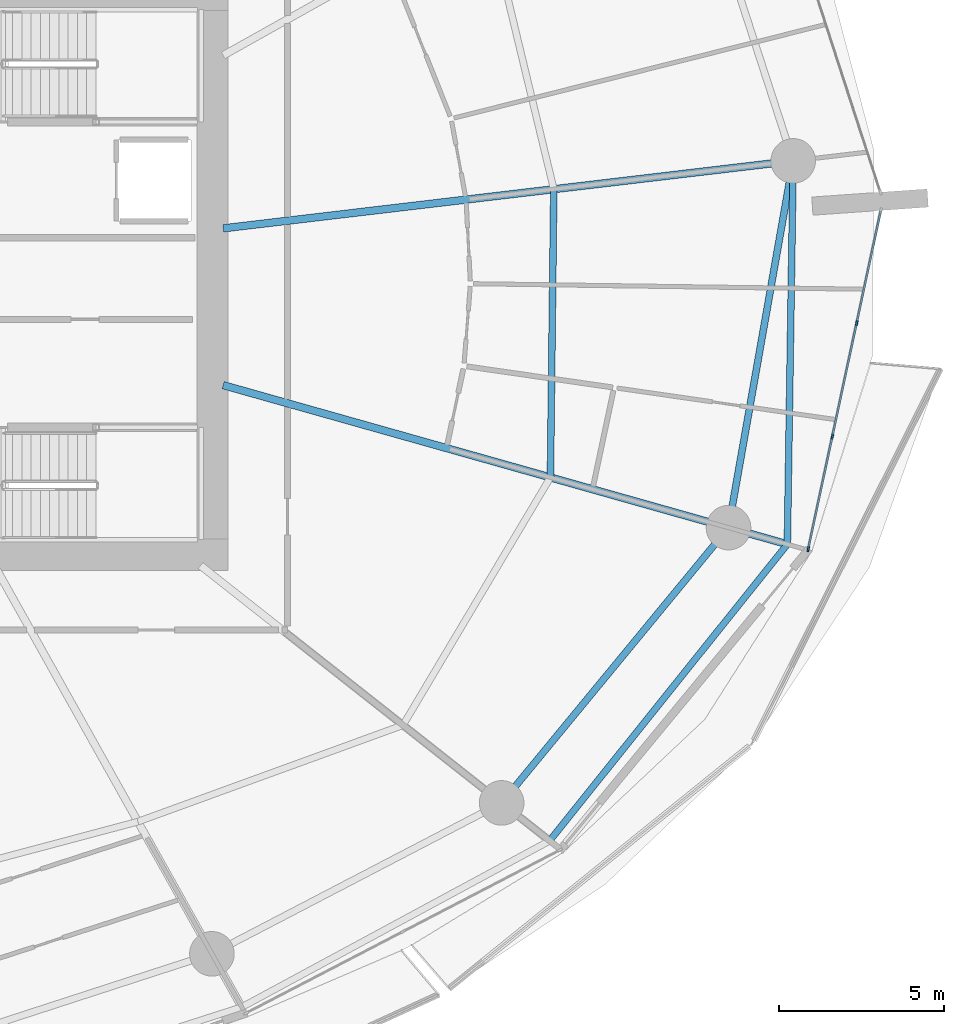
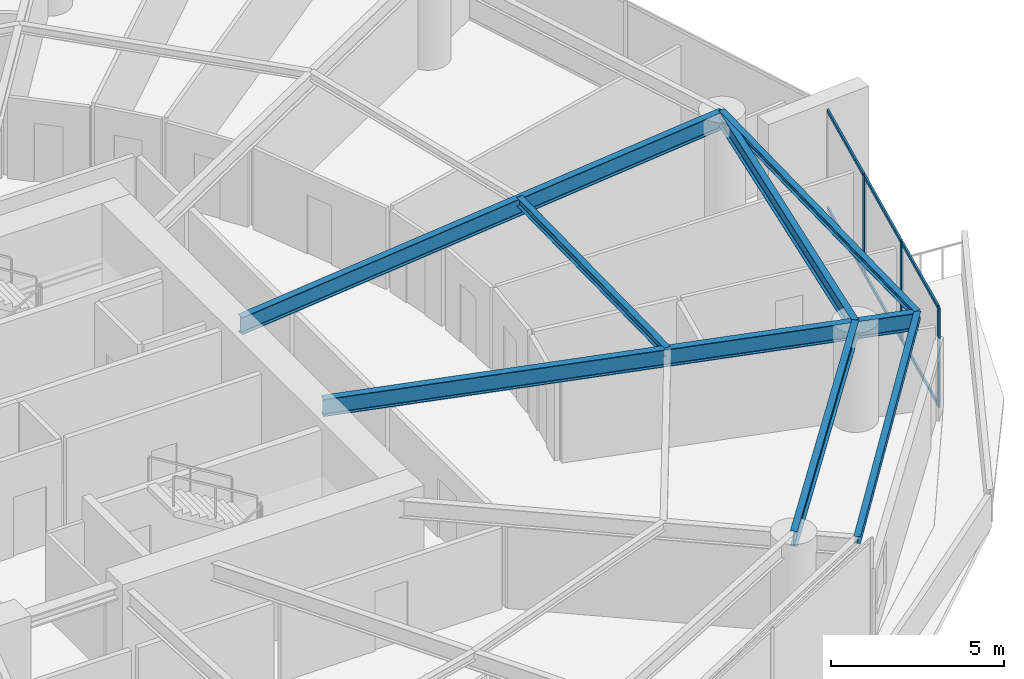
# One storey, part 11 of 31: 9 members, 7 beams, 1 element without a shape of its own.
"""IFC4 building model written with IfcOpenShell, lengths in metres."""

import ifcopenshell
import ifcopenshell.guid

model = None  # the IFC model being written
_history = None  # IfcOwnerHistory: only IFC2X3 demands one
_inside = {}  # id of a spatial element -> (the spatial element, [elements in it])
_under = {}  # id of a project, library or spatial element -> (it, [spatial elements below it])
_declared = {}  # id of a project -> (the project, [libraries it declares])
_typed = {}  # id of a type object -> (the type object, [elements of that type])
_made_of = {}  # id of a material, layer set ... -> (it, [elements and type objects made of it])


def new_model(schema):
    """Start an empty IFC model of exactly this schema.

    Asked for "IFC4X3", IfcOpenShell would pick the latest addendum, in which some entities
    have other attributes; the version numbers below select the first issue.
    IFC2X3 requires an IfcOwnerHistory on every rooted entity: one is made here for all.
    """
    global model, _history
    if schema == "IFC4X3":
        model = ifcopenshell.file(schema_version=(4, 3, 0, 0))
    else:
        model = ifcopenshell.file(schema=schema)
    _inside.clear()
    _under.clear()
    _declared.clear()
    _typed.clear()
    _made_of.clear()
    _history = None
    if model.schema == "IFC2X3":
        org = make("IfcOrganization", Name="unknown")
        user = make(
            "IfcPersonAndOrganization",
            ThePerson=make("IfcPerson", FamilyName="unknown"),
            TheOrganization=org,
        )
        app = make(
            "IfcApplication",
            ApplicationDeveloper=org,
            Version="unknown",
            ApplicationFullName="unknown",
            ApplicationIdentifier="unknown",
        )
        _history = make(
            "IfcOwnerHistory",
            OwningUser=user,
            OwningApplication=app,
            ChangeAction="ADDED",
            CreationDate=0,
        )
    return model


def make(cls, **values):
    """One entity of the class cls with the attributes given. An attribute that is None is left unset."""
    return model.create_entity(
        cls, **{name: value for name, value in values.items() if value is not None}
    )


def rooted(cls, **values):
    """An entity with a GlobalId (a new one), such as an element, a storey or a relation."""
    return make(cls, GlobalId=ifcopenshell.guid.new(), OwnerHistory=_history, **values)


def si_unit(unit_type, name, prefix=None):
    """IfcSIUnit, for example si_unit("LENGTHUNIT", "METRE", prefix="MILLI")."""
    return make("IfcSIUnit", UnitType=unit_type, Prefix=prefix, Name=name)


def assignment(units):
    """IfcUnitAssignment: the units of a project."""
    return None if units is None else make("IfcUnitAssignment", Units=units)


def point(xyz):
    """IfcCartesianPoint."""
    return None if xyz is None else make("IfcCartesianPoint", Coordinates=xyz)


def direction(xyz):
    """IfcDirection."""
    return None if xyz is None else make("IfcDirection", DirectionRatios=xyz)


def frame(location, z_axis=None, x_axis=None):
    """IfcAxis2Placement3D, a coordinate frame: its origin and axes. An axis left out is left unset."""
    return make(
        "IfcAxis2Placement3D",
        Location=point(location),
        Axis=direction(z_axis),
        RefDirection=direction(x_axis),
    )


def frame_2d(location, x_axis=None):
    """IfcAxis2Placement2D, a coordinate frame in the plane: its origin and x axis."""
    return make(
        "IfcAxis2Placement2D", Location=point(location), RefDirection=direction(x_axis)
    )


def origin():
    """The frame at (0, 0, 0) with its axes left unset."""
    return frame((0.0, 0.0, 0.0))


def origin_2d():
    """The frame at (0, 0) in the plane with its x axis left unset."""
    return frame_2d((0.0, 0.0))


def place(relative_to, where):
    """IfcLocalPlacement: puts the frame where relative to a parent placement (None: the world)."""
    return make(
        "IfcLocalPlacement", PlacementRelTo=relative_to, RelativePlacement=where
    )


def context(
    kind, dimensions, precision=None, world=None, true_north=None, identifier=None
):
    """IfcGeometricRepresentationContext, for example the 3D "Model" context."""
    return make(
        "IfcGeometricRepresentationContext",
        ContextIdentifier=identifier,
        ContextType=kind,
        CoordinateSpaceDimension=dimensions,
        Precision=precision,
        WorldCoordinateSystem=world,
        TrueNorth=true_north,
    )


def subcontext(parent, identifier, kind, view, scale=None):
    """IfcGeometricRepresentationSubContext, for example "Body" below "Model"."""
    return make(
        "IfcGeometricRepresentationSubContext",
        ContextIdentifier=identifier,
        ContextType=kind,
        ParentContext=parent,
        TargetScale=scale,
        TargetView=view,
    )


def project(units=None, contexts=None):
    """IfcProject with its units and contexts."""
    return rooted(
        "IfcProject",
        Name="project",
        RepresentationContexts=contexts,
        UnitsInContext=assignment(units),
    )


def spatial(cls, under=None, at=None, **own):
    """A site, building, storey or space (cls), placed at a placement, below another one or the project."""
    s = rooted(cls, ObjectPlacement=at, **own)
    if under is not None:
        _under.setdefault(under.id(), (under, []))[1].append(s)
    return s


def profile(cls, at=None, kind="AREA", **sizes):
    """A parametric profile (cls). Its sizes go by their IFC names, for example OverallWidth=200.0."""
    return make(cls, ProfileType=kind, Position=at, **sizes)


def rectangle(**sizes):
    """IfcRectangleProfileDef."""
    return profile("IfcRectangleProfileDef", **sizes)


def i_section(**sizes):
    """IfcIShapeProfileDef."""
    return profile("IfcIShapeProfileDef", **sizes)


def extrude(swept, where, along, depth):
    """IfcExtrudedAreaSolid: the profile swept, set in the frame where, extruded along a direction by depth."""
    return make(
        "IfcExtrudedAreaSolid",
        SweptArea=swept,
        Position=where,
        ExtrudedDirection=direction(along),
        Depth=depth,
    )


def shape(context_of_items, identifier, shape_type, items):
    """IfcShapeRepresentation: the items that make up one representation, for example the "Body"."""
    return make(
        "IfcShapeRepresentation",
        ContextOfItems=context_of_items,
        RepresentationIdentifier=identifier,
        RepresentationType=shape_type,
        Items=items,
    )


def material(Name=None, Category=None):
    """IfcMaterial."""
    return make("IfcMaterial", Name=Name, Category=Category)


def layer(
    of_material, thickness, ventilated=None, Name=None, Category=None, Priority=None
):
    """IfcMaterialLayer: one layer of a wall or slab, of a material (None: an air gap)."""
    return make(
        "IfcMaterialLayer",
        Material=of_material,
        LayerThickness=thickness,
        IsVentilated=ventilated,
        Name=Name,
        Category=Category,
        Priority=Priority,
    )


def layer_set(layers, Name=None):
    """IfcMaterialLayerSet."""
    return make("IfcMaterialLayerSet", MaterialLayers=layers, LayerSetName=Name)


def material_profile(
    of_material, cross_section, Name=None, Category=None, Priority=None
):
    """IfcMaterialProfile: a cross section and its material."""
    return make(
        "IfcMaterialProfile",
        Name=Name,
        Material=of_material,
        Profile=cross_section,
        Priority=Priority,
        Category=Category,
    )


def profile_set(profiles, Name=None, composite=None):
    """IfcMaterialProfileSet."""
    return make(
        "IfcMaterialProfileSet",
        Name=Name,
        MaterialProfiles=profiles,
        CompositeProfile=composite,
    )


def made_of(thing, what):
    """Note that an element or type object is made of a material, layer set ...; save() writes the relation."""
    if what is not None:
        _made_of.setdefault(what.id(), (what, []))[1].append(thing)
    return thing


def type_object(cls, material=None, **own):
    """A type object (cls), such as IfcWallType, which elements share."""
    return made_of(rooted(cls, **own), material)


def element(
    cls,
    number,
    at=None,
    inside=None,
    cuts=None,
    type_object=None,
    material=None,
    context=None,
    identifier="Body",
    shape_type=None,
    held_by="IfcProductDefinitionShape",
    body=None,
    shapes=None,
    **own,
):
    """One element of the class cls, such as IfcWall. Its Tag is "e" and its number.

    at: its placement. inside: the storey or other place that contains it. cuts: it is an
    opening in that element (IfcRelVoidsElement). A single representation is given by context,
    identifier, shape_type and body (its items); several are given by shapes. held_by: the class
    of the entity that holds the representations. save() writes the other relations.
    """
    e = rooted(cls, Tag="e%d" % number, ObjectPlacement=at, **own)
    if body is not None:
        shapes = [shape(context, identifier, shape_type, body)]
    if shapes is not None:
        e.Representation = make(held_by, Representations=shapes)
    if inside is not None:
        _inside.setdefault(inside.id(), (inside, []))[1].append(e)
    if cuts is not None:
        rooted(
            "IfcRelVoidsElement", RelatingBuildingElement=cuts, RelatedOpeningElement=e
        )
    if type_object is not None:
        _typed.setdefault(type_object.id(), (type_object, []))[1].append(e)
    return made_of(e, material)


def aggregate(whole, parts):
    """IfcRelAggregates: a whole, such as a stair, and the parts it consists of."""
    return rooted("IfcRelAggregates", RelatingObject=whole, RelatedObjects=parts)


def save(model, path):
    """Write the relations noted so far, then the file.

    IfcRelAggregates (storeys below a building ...), IfcRelContainedInSpatialStructure (elements
    in a storey), IfcRelDefinesByType, IfcRelAssociatesMaterial and IfcRelDeclares: one each for
    every whole, place, type object, material and project.
    """
    for whole, parts in _under.values():
        aggregate(whole, parts)
    for where, things in _inside.values():
        rooted(
            "IfcRelContainedInSpatialStructure",
            RelatedElements=things,
            RelatingStructure=where,
        )
    for kind, things in _typed.values():
        rooted("IfcRelDefinesByType", RelatedObjects=things, RelatingType=kind)
    for what, things in _made_of.values():
        rooted("IfcRelAssociatesMaterial", RelatedObjects=things, RelatingMaterial=what)
    for by, libraries in _declared.values():
        rooted("IfcRelDeclares", RelatingContext=by, RelatedDefinitions=libraries)
    model.write(path)


model = new_model("IFC4")

# Units and contexts
model_context = context("Model", 3, precision=1e-05, world=origin(), true_north=direction((0.0, 1.0)))
body_context = subcontext(model_context, "Body", "Model", "MODEL_VIEW")
ifc_project = project(units=[si_unit("LENGTHUNIT", "METRE"), si_unit("AREAUNIT", "SQUARE_METRE"), si_unit("VOLUMEUNIT", "CUBIC_METRE"), si_unit("PLANEANGLEUNIT", "RADIAN"), si_unit("MASSUNIT", "GRAM", prefix="KILO")], contexts=[model_context])

# Site, building, storey
site_placement = place(None, origin())
site = spatial("IfcSite", under=ifc_project, at=site_placement, CompositionType="ELEMENT")
building_placement = place(site_placement, origin())
building = spatial("IfcBuilding", under=site, at=building_placement, Name="Kazma Halo Residences", CompositionType="ELEMENT")
storey_placement = place(building_placement, frame((0.0, 0.0, 48.89990234375)))
storey = spatial("IfcBuildingStorey", under=building, at=storey_placement, Name="L11", CompositionType="ELEMENT", Elevation=48.89990234375)

# Beams
ifc_material_1 = material(Name="Steel S355", Category="steel")
ifc_material_profile_1 = material_profile(ifc_material_1, i_section(OverallWidth=0.201904296875, OverallDepth=0.2470703125, WebThickness=0.00732421875, FlangeThickness=0.010986328125, FilletRadius=0.011962890625, at=origin_2d()), Name="W250x49.1")
ifc_profile_set_1 = profile_set([ifc_material_profile_1], Name="Steel S355")
beam_type_1 = type_object("IfcBeamType", Name="BM-BAL-CANT", PredefinedType="BEAM", material=ifc_profile_set_1)
beam_1_placement = place(storey_placement, frame((69.728515625, 24.87060546875, 3.376708984375), z_axis=(0.625476617708, 0.780242911343, 0.0), x_axis=(-0.780242911343, 0.625476617708, 0.0)))
element("IfcBeam", 1, at=beam_1_placement, inside=storey, type_object=beam_type_1, Name="L11 wave-balcony tie beam 14", PredefinedType="BEAM", context=body_context, shape_type="SweptSolid", body=[
    extrude(i_section(OverallWidth=0.201904296875, OverallDepth=0.2470703125, WebThickness=0.00732421875, FlangeThickness=0.010986328125, FilletRadius=0.011962890625, at=origin_2d()), origin(), (0.0, 0.0, 1.0), 11.499755859375),
])
beam_2_placement = place(storey_placement, frame((76.92138671875, 33.84326171875, 3.376708984375), z_axis=(0.015213846033, 0.999884262747, 0.0), x_axis=(-0.999884262747, 0.015213846033, 0.0)))
element("IfcBeam", 2, at=beam_2_placement, inside=storey, type_object=beam_type_1, Name="L11 wave-balcony tie beam 15", PredefinedType="BEAM", context=body_context, shape_type="SweptSolid", body=[
    extrude(i_section(OverallWidth=0.201904296875, OverallDepth=0.2470703125, WebThickness=0.00732421875, FlangeThickness=0.010986328125, FilletRadius=0.011962890625, at=origin_2d()), origin(), (0.0, 0.0, 1.0), 11.602294921875),
])
ifc_material_profile_2 = material_profile(ifc_material_1, i_section(OverallWidth=0.22802734375, OverallDepth=0.60791015625, WebThickness=0.01123046875, FlangeThickness=0.017333984375, FilletRadius=0.01806640625, at=origin_2d()), Name="W610x113")
ifc_profile_set_2 = profile_set([ifc_material_profile_2], Name="Steel S355")
beam_type_2 = type_object("IfcBeamType", Name="BM-RAD-W610", PredefinedType="BEAM", material=ifc_profile_set_2)
beam_3_placement = place(storey_placement, frame((59.85009765625, 38.657958984375, 3.196044921875), z_axis=(0.962453825278, -0.271445453468, 0.0), x_axis=(0.271445453468, 0.962453825278, 0.0)))
element("IfcBeam", 3, at=beam_3_placement, inside=storey, type_object=beam_type_2, Name="L11 radial floor beam 15", PredefinedType="BEAM", context=body_context, shape_type="SweptSolid", body=[
    extrude(i_section(OverallWidth=0.22802734375, OverallDepth=0.60791015625, WebThickness=0.01123046875, FlangeThickness=0.017333984375, FilletRadius=0.01806640625, at=origin_2d()), origin(), (0.0, 0.0, 1.0), 17.7373046875),
])
beam_4_placement = place(storey_placement, frame((59.85009765625, 43.402587890625, 3.196044921875), z_axis=(0.993067839154, 0.117542617111, 0.0), x_axis=(-0.117542617111, 0.993067839154, 0.0)))
element("IfcBeam", 4, at=beam_4_placement, inside=storey, type_object=beam_type_2, Name="L11 radial floor beam 16", PredefinedType="BEAM", context=body_context, shape_type="SweptSolid", body=[
    extrude(i_section(OverallWidth=0.22802734375, OverallDepth=0.60791015625, WebThickness=0.01123046875, FlangeThickness=0.017333984375, FilletRadius=0.01806640625, at=origin_2d()), origin(), (0.0, 0.0, 1.0), 17.3681640625),
])
ifc_material_profile_3 = material_profile(ifc_material_1, i_section(OverallWidth=0.202880859375, OverallDepth=0.302978515625, WebThickness=0.007568359375, FlangeThickness=0.01318359375, FilletRadius=0.013916015625, at=origin_2d()), Name="W310x60")
ifc_profile_set_3 = profile_set([ifc_material_profile_3], Name="Steel S355")
beam_type_3 = type_object("IfcBeamType", Name="BM-SEC-W310A", PredefinedType="JOIST", material=ifc_profile_set_3)
beam_5_placement = place(storey_placement, frame((69.75146484375, 35.865478515625, 3.3486328125), z_axis=(0.011728659646, 0.999931216906, 0.0), x_axis=(-0.999931216906, 0.011728659646, 0.0)))
element("IfcBeam", 5, at=beam_5_placement, inside=storey, type_object=beam_type_3, Name="L11 circumferential floor joist 15", PredefinedType="JOIST", context=body_context, shape_type="SweptSolid", body=[
    extrude(i_section(OverallWidth=0.202880859375, OverallDepth=0.302978515625, WebThickness=0.007568359375, FlangeThickness=0.01318359375, FilletRadius=0.013916015625, at=origin_2d()), origin(), (0.0, 0.0, 1.0), 8.7216796875),
])
ifc_material_profile_4 = material_profile(ifc_material_1, i_section(OverallWidth=0.208984375, OverallDepth=0.532958984375, WebThickness=0.01025390625, FlangeThickness=0.015625, FilletRadius=0.01611328125, at=origin_2d()), Name="W530x92")
ifc_profile_set_4 = profile_set([ifc_material_profile_4], Name="Steel S355")
beam_type_4 = type_object("IfcBeamType", Name="BM-SPN-W530", PredefinedType="BEAM", material=ifc_profile_set_4)
beam_6_placement = place(storey_placement, frame((68.27587890625, 26.015869140625, 3.233642578125), z_axis=(0.636001336663, 0.771687954916, 0.0), x_axis=(-0.771687954916, 0.636001336663, 0.0)))
element("IfcBeam", 6, at=beam_6_placement, inside=storey, type_object=beam_type_4, Name="L11 perimeter ring beam 14", PredefinedType="BEAM", context=body_context, shape_type="SweptSolid", body=[
    extrude(i_section(OverallWidth=0.208984375, OverallDepth=0.532958984375, WebThickness=0.01025390625, FlangeThickness=0.015625, FilletRadius=0.01611328125, at=origin_2d()), origin(), (0.0, 0.0, 1.0), 10.7939453125),
])
beam_7_placement = place(storey_placement, frame((75.140869140625, 34.345458984375, 3.233642578125), z_axis=(0.173651864005, 0.984807103004, 0.0), x_axis=(-0.984807103004, 0.173651864005, 0.0)))
element("IfcBeam", 7, at=beam_7_placement, inside=storey, type_object=beam_type_4, Name="L11 perimeter ring beam 15", PredefinedType="BEAM", context=body_context, shape_type="SweptSolid", body=[
    extrude(i_section(OverallWidth=0.208984375, OverallDepth=0.532958984375, WebThickness=0.01025390625, FlangeThickness=0.015625, FilletRadius=0.01611328125, at=origin_2d()), origin(), (0.0, 0.0, 1.0), 11.269775390625),
])

# Curtain wall, members
ifc_material_2 = material(Name="Aluminium AW-6063 T6 and Triple-Silver Low-E Glass", Category="aluminium")
ifc_layer = layer(ifc_material_2, 0.159912109375)
ifc_layer_set = layer_set([ifc_layer], Name="Aluminium AW-6063 T6 and Triple-Silver Low-E Glass")
curtain_wall_type = type_object("IfcCurtainWallType", Name="CW-SYS-2", PredefinedType="NOTDEFINED", material=ifc_layer_set)
curtain_wall_placement = place(storey_placement, origin())
curtain_wall = element("IfcCurtainWall", 8, at=curtain_wall_placement, inside=storey, type_object=curtain_wall_type, Name="L11 unitised curtain wall B15", PredefinedType="NOTDEFINED")
ifc_material_3 = material(Name="Aluminium AW-6063 T6", Category="aluminium")
ifc_material_profile_5 = material_profile(ifc_material_3, rectangle(XDim=0.06005859375, YDim=0.159912109375, at=origin_2d()), Name="CWM-60x160")
ifc_profile_set_5 = profile_set([ifc_material_profile_5], Name="Aluminium AW-6063 T6")
member_type_1 = type_object("IfcMemberType", Name="CW-SYS-2-MUL", PredefinedType="MULLION", material=ifc_profile_set_5)
member_1_placement = place(storey_placement, frame((77.552978515625, 33.6962890625, 0.0), z_axis=(0.0, 0.0, 1.0), x_axis=(-0.977779215096, 0.209637321406, 0.0)))
member_1 = element("IfcMember", 9, at=member_1_placement, type_object=member_type_1, Name="CWS-2 mullion 1", PredefinedType="MULLION", context=body_context, shape_type="SweptSolid", body=[
    extrude(rectangle(XDim=0.06005859375, YDim=0.159912109375, at=origin_2d()), origin(), (0.0, 0.0, 1.0), 3.5),
])
member_2_placement = place(storey_placement, frame((78.282958984375, 37.101318359375, 0.0), z_axis=(0.0, 0.0, 1.0), x_axis=(-0.977779215096, 0.209637321406, 0.0)))
member_2 = element("IfcMember", 10, at=member_2_placement, type_object=member_type_1, Name="CWS-2 mullion 2", PredefinedType="MULLION", context=body_context, shape_type="SweptSolid", body=[
    extrude(rectangle(XDim=0.06005859375, YDim=0.159912109375, at=origin_2d()), origin(), (0.0, 0.0, 1.0), 3.5),
])
member_3_placement = place(storey_placement, frame((79.019287109375, 40.53564453125, 0.0), z_axis=(0.0, 0.0, 1.0), x_axis=(-0.977779215096, 0.209637321406, 0.0)))
member_3 = element("IfcMember", 11, at=member_3_placement, type_object=member_type_1, Name="CWS-2 mullion 3", PredefinedType="MULLION", context=body_context, shape_type="SweptSolid", body=[
    extrude(rectangle(XDim=0.06005859375, YDim=0.159912109375, at=origin_2d()), origin(), (0.0, 0.0, 1.0), 3.5),
])
ifc_material_profile_6 = material_profile(ifc_material_3, rectangle(XDim=0.06005859375, YDim=0.1201171875, at=origin_2d()), Name="CWT-60x120")
ifc_profile_set_6 = profile_set([ifc_material_profile_6], Name="Aluminium AW-6063 T6")
member_type_2 = type_object("IfcMemberType", Name="CW-SYS-2-TRN", PredefinedType="USERDEFINED", material=ifc_profile_set_6)
member_4_placement = place(storey_placement, frame((77.559326171875, 33.7255859375, 0.030029296875), z_axis=(0.209650877007, 0.977776308657, 0.0), x_axis=(-0.977776308657, 0.209650877007, 0.0)))
member_4 = element("IfcMember", 12, at=member_4_placement, type_object=member_type_2, Name="CWS-2 transom 1.1", ObjectType="TRANSOM", PredefinedType="USERDEFINED", context=body_context, shape_type="SweptSolid", body=[
    extrude(rectangle(XDim=0.06005859375, YDim=0.1201171875, at=origin_2d()), origin(), (0.0, 0.0, 1.0), 3.422607421875),
])
member_5_placement = place(storey_placement, frame((77.559326171875, 33.7255859375, 3.47021484375), z_axis=(0.209650877007, 0.977776308657, 0.0), x_axis=(-0.977776308657, 0.209650877007, 0.0)))
member_5 = element("IfcMember", 13, at=member_5_placement, type_object=member_type_2, Name="CWS-2 transom 1.2", ObjectType="TRANSOM", PredefinedType="USERDEFINED", context=body_context, shape_type="SweptSolid", body=[
    extrude(rectangle(XDim=0.06005859375, YDim=0.1201171875, at=origin_2d()), origin(), (0.0, 0.0, 1.0), 3.422607421875),
])
member_6_placement = place(storey_placement, frame((78.289306640625, 37.130615234375, 0.030029296875), z_axis=(0.209669136217, 0.977772393412, 0.0), x_axis=(-0.977772393412, 0.209669136217, 0.0)))
member_6 = element("IfcMember", 14, at=member_6_placement, type_object=member_type_2, Name="CWS-2 transom 2.1", ObjectType="TRANSOM", PredefinedType="USERDEFINED", context=body_context, shape_type="SweptSolid", body=[
    extrude(rectangle(XDim=0.06005859375, YDim=0.1201171875, at=origin_2d()), origin(), (0.0, 0.0, 1.0), 3.452392578125),
])
member_7_placement = place(storey_placement, frame((78.289306640625, 37.130615234375, 3.47021484375), z_axis=(0.209669136217, 0.977772393412, 0.0), x_axis=(-0.977772393412, 0.209669136217, 0.0)))
member_7 = element("IfcMember", 15, at=member_7_placement, type_object=member_type_2, Name="CWS-2 transom 2.2", ObjectType="TRANSOM", PredefinedType="USERDEFINED", context=body_context, shape_type="SweptSolid", body=[
    extrude(rectangle(XDim=0.06005859375, YDim=0.1201171875, at=origin_2d()), origin(), (0.0, 0.0, 1.0), 3.452392578125),
])
member_8_placement = place(storey_placement, frame((79.025634765625, 40.565185546875, 0.030029296875), z_axis=(0.209665500897, 0.977773172946, 0.0), x_axis=(-0.977773172946, 0.209665500897, 0.0)))
member_8 = element("IfcMember", 16, at=member_8_placement, type_object=member_type_2, Name="CWS-2 transom 3.1", ObjectType="TRANSOM", PredefinedType="USERDEFINED", context=body_context, shape_type="SweptSolid", body=[
    extrude(rectangle(XDim=0.06005859375, YDim=0.1201171875, at=origin_2d()), origin(), (0.0, 0.0, 1.0), 3.42236328125),
])
member_9_placement = place(storey_placement, frame((79.025634765625, 40.565185546875, 3.47021484375), z_axis=(0.209665500897, 0.977773172946, 0.0), x_axis=(-0.977773172946, 0.209665500897, 0.0)))
member_9 = element("IfcMember", 17, at=member_9_placement, type_object=member_type_2, Name="CWS-2 transom 3.2", ObjectType="TRANSOM", PredefinedType="USERDEFINED", context=body_context, shape_type="SweptSolid", body=[
    extrude(rectangle(XDim=0.06005859375, YDim=0.1201171875, at=origin_2d()), origin(), (0.0, 0.0, 1.0), 3.42236328125),
])
aggregate(curtain_wall, [member_1, member_2, member_3, member_4, member_5, member_6, member_7, member_8, member_9])

save(model, "model.ifc")
